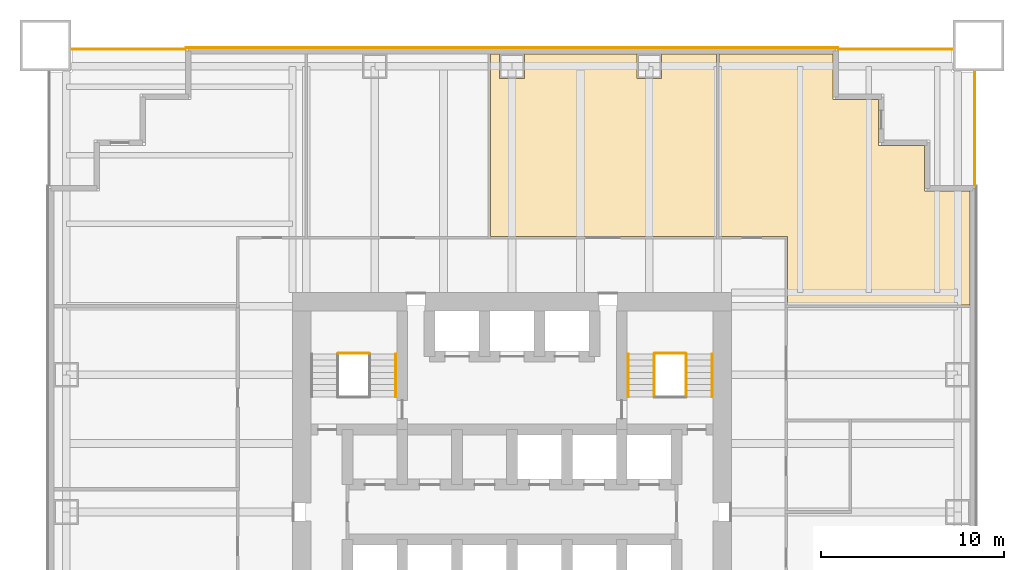
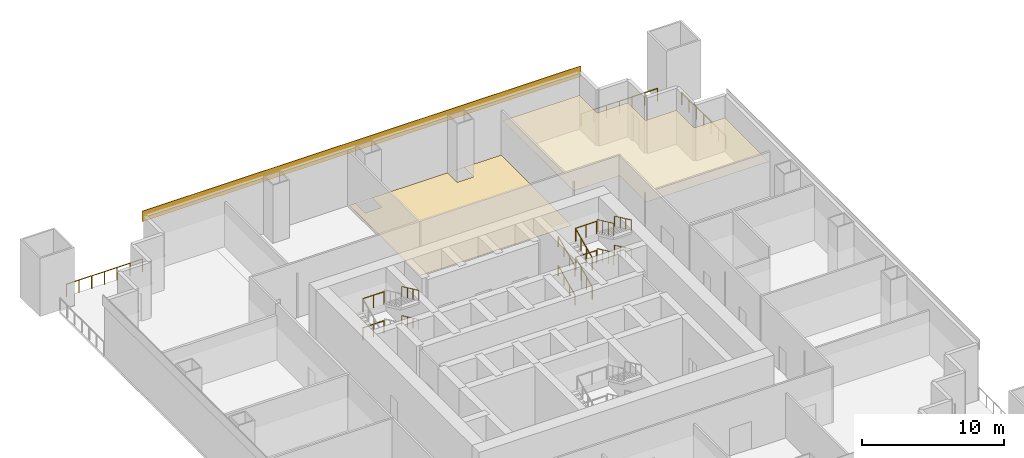
# One storey, part 6 of 6: 17 railings, 3 coverings.
"""IFC4 building model written with IfcOpenShell, lengths in metres."""

from ifc_helpers import new_model, si_unit, direction, frame, origin, origin_2d, place, context, subcontext, project, spatial, polyline, rectangle, circle, outline, extrude, material, layer, layer_set, type_object, element, save


model = new_model("IFC4")

# Units and contexts
model_context = context("Model", 3, precision=1e-05, world=origin(), true_north=direction((0.0, 1.0)))
body_context = subcontext(model_context, "Body", "Model", "MODEL_VIEW")
ifc_project = project(units=[si_unit("LENGTHUNIT", "METRE"), si_unit("AREAUNIT", "SQUARE_METRE"), si_unit("VOLUMEUNIT", "CUBIC_METRE"), si_unit("PLANEANGLEUNIT", "RADIAN"), si_unit("MASSUNIT", "GRAM", prefix="KILO")], contexts=[model_context])

# Site, building, storey
site_placement = place(None, origin())
site = spatial("IfcSite", under=ifc_project, at=site_placement, CompositionType="ELEMENT")
building_placement = place(site_placement, origin())
building = spatial("IfcBuilding", under=site, at=building_placement, Name="Tarangal Relay Tower", CompositionType="ELEMENT")
storey_placement = place(building_placement, frame((0.0, 0.0, 88.39990234375)))
storey = spatial("IfcBuildingStorey", under=building, at=storey_placement, Name="L17", CompositionType="ELEMENT", Elevation=88.39990234375)

# Coverings
ifc_material_1 = material(Name="Anti-static vinyl flooring", Category="plastic")
ifc_layer_1 = layer(ifc_material_1, 0.010009765625)
ifc_layer_set_1 = layer_set([ifc_layer_1], Name="Anti-static vinyl floor")
covering_type_1 = type_object("IfcCoveringType", Name="Anti-static vinyl floor", PredefinedType="FLOORING", material=ifc_layer_set_1)
covering_1_placement = place(storey_placement, origin())
element("IfcCovering", 1, at=covering_1_placement, inside=storey, type_object=covering_type_1, Name="Floor finish FL1 L17-03", PredefinedType="FLOORING", context=body_context, shape_type="SweptSolid", body=[
    extrude(outline(polyline([(11.175048828125, 25.050048828125), (-1.175048828125, 25.050048828125), (-1.175048828125, 15.074951171875), (11.175048828125, 15.074951171875), (11.175048828125, 25.050048828125)]), holes=[polyline([(0.675048828125, 23.68994140625), (0.675048828125, 25.0400390625), (-0.675048828125, 25.0400390625), (-0.675048828125, 23.68994140625), (0.675048828125, 23.68994140625)]), polyline([(8.175048828125, 23.68994140625), (8.175048828125, 25.0400390625), (6.824951171875, 25.0400390625), (6.824951171875, 23.68994140625), (8.175048828125, 23.68994140625)])]), origin(), (0.0, 0.0, 1.0), 0.010009765625),
])
ifc_material_2 = material(Name="Black anodised aluminium cladding", Category="aluminium")
ifc_layer_2 = layer(ifc_material_2, 0.050048828125)
ifc_layer_set_2 = layer_set([ifc_layer_2], Name="Black metal spandrel band")
covering_type_2 = type_object("IfcCoveringType", Name="Black metal spandrel band", PredefinedType="CLADDING", material=ifc_layer_set_2)
covering_2_placement = place(storey_placement, frame((0.0, 25.375, 4.250244140625), z_axis=(0.0, 0.0, 1.0), x_axis=(1.0, 0.0, 0.0)))
element("IfcCovering", 2, at=covering_2_placement, inside=storey, type_object=covering_type_2, Name="Spandrel band SB1 N L17", PredefinedType="CLADDING", context=body_context, shape_type="SweptSolid", body=[
    extrude(rectangle(XDim=35.699951171875, YDim=0.050048828125, at=origin_2d()), origin(), (0.0, 0.0, 1.0), 0.89990234375),
])

# Railings
ifc_material_3 = material(Name="Steel guard, black finish", Category="steel")
railing_type_1 = type_object("IfcRailingType", Name="Stair guard 1100", PredefinedType="GUARDRAIL", material=ifc_material_3)
for number, where, name in (
    (3, (-9.5, 8.675048828125, 1.25), "Stair ST-A landing guard GR1 L17"),
    (4, (-9.5, 8.675048828125, 3.75), "Stair ST-A landing guard GR1 L17"),
):
    element("IfcRailing", number, at=place(storey_placement, frame(where)), inside=storey, type_object=railing_type_1, Name=name, PredefinedType="GUARDRAIL", context=body_context, shape_type="SweptSolid", body=[
        extrude(circle(Radius=0.02392578125, at=origin_2d()), frame((0.0, 0.0, 1.076171875), z_axis=(1.0, 0.0, 0.0), x_axis=(0.0, 1.0, 0.0)), (0.0, 0.0, 1.0), 1.699951171875),
        extrude(circle(Radius=0.02099609375, at=origin_2d()), origin(), (0.0, 0.0, 1.0), 1.052001953125),
        extrude(circle(Radius=0.02099609375, at=origin_2d()), frame((0.85009765625, 0.0, 0.0)), (0.0, 0.0, 1.0), 1.052001953125),
        extrude(circle(Radius=0.02099609375, at=origin_2d()), frame((1.699951171875, 0.0, 0.0)), (0.0, 0.0, 1.0), 1.052001953125),
    ])
railing_1_placement = place(storey_placement, frame((7.77001953125, 6.300048828125, 0.156494140625)))
element("IfcRailing", 5, at=railing_1_placement, inside=storey, type_object=railing_type_1, Name="Stair ST-B guard GR1 L17 flight 1", PredefinedType="GUARDRAIL", context=body_context, shape_type="SweptSolid", body=[
    extrude(circle(Radius=0.02392578125, at=origin_2d()), frame((0.0, 0.0, 1.076171875), z_axis=(0.0, 0.906303632821, 0.42262717037), x_axis=(-1.0, 0.0, 0.0)), (0.0, 0.0, 1.0), 2.58740234375),
    extrude(circle(Radius=0.02099609375, at=origin_2d()), origin(), (0.0, 0.0, 1.0), 1.052001953125),
    extrude(circle(Radius=0.02099609375, at=origin_2d()), frame((0.0, 0.78173828125, 0.364501953125)), (0.0, 0.0, 1.0), 1.052001953125),
    extrude(circle(Radius=0.02099609375, at=origin_2d()), frame((0.0, 1.563232421875, 0.72900390625)), (0.0, 0.0, 1.0), 1.052001953125),
    extrude(circle(Radius=0.02099609375, at=origin_2d()), frame((0.0, 2.344970703125, 1.093505859375)), (0.0, 0.0, 1.0), 1.052001953125),
])
railing_2_placement = place(storey_placement, frame((9.530029296875, 8.64501953125, 1.406494140625)))
element("IfcRailing", 6, at=railing_2_placement, inside=storey, type_object=railing_type_1, Name="Stair ST-B guard GR1 L17 flight 2", PredefinedType="GUARDRAIL", context=body_context, shape_type="SweptSolid", body=[
    extrude(circle(Radius=0.02392578125, at=origin_2d()), frame((0.0, 0.0, 1.076171875), z_axis=(0.0, -0.906303632821, 0.42262717037), x_axis=(1.0, 0.0, 0.0)), (0.0, 0.0, 1.0), 2.58740234375),
    extrude(circle(Radius=0.02099609375, at=origin_2d()), origin(), (0.0, 0.0, 1.0), 1.052001953125),
    extrude(circle(Radius=0.02099609375, at=origin_2d()), frame((0.0, -0.78173828125, 0.364501953125)), (0.0, 0.0, 1.0), 1.052001953125),
    extrude(circle(Radius=0.02099609375, at=origin_2d()), frame((0.0, -1.563232421875, 0.72900390625)), (0.0, 0.0, 1.0), 1.052001953125),
    extrude(circle(Radius=0.02099609375, at=origin_2d()), frame((0.0, -2.344970703125, 1.093505859375)), (0.0, 0.0, 1.0), 1.052001953125),
])
railing_3_placement = place(storey_placement, frame((7.77001953125, 6.300048828125, 2.656494140625)))
element("IfcRailing", 7, at=railing_3_placement, inside=storey, type_object=railing_type_1, Name="Stair ST-B guard GR1 L17 flight 3", PredefinedType="GUARDRAIL", context=body_context, shape_type="SweptSolid", body=[
    extrude(circle(Radius=0.02392578125, at=origin_2d()), frame((0.0, 0.0, 1.076171875), z_axis=(0.0, 0.906303632821, 0.42262717037), x_axis=(-1.0, 0.0, 0.0)), (0.0, 0.0, 1.0), 2.58740234375),
    extrude(circle(Radius=0.02099609375, at=origin_2d()), origin(), (0.0, 0.0, 1.0), 1.052001953125),
    extrude(circle(Radius=0.02099609375, at=origin_2d()), frame((0.0, 0.78173828125, 0.364501953125)), (0.0, 0.0, 1.0), 1.052001953125),
    extrude(circle(Radius=0.02099609375, at=origin_2d()), frame((0.0, 1.563232421875, 0.72900390625)), (0.0, 0.0, 1.0), 1.052001953125),
    extrude(circle(Radius=0.02099609375, at=origin_2d()), frame((0.0, 2.344970703125, 1.093505859375)), (0.0, 0.0, 1.0), 1.052001953125),
])
railing_4_placement = place(storey_placement, frame((9.530029296875, 8.64501953125, 3.906494140625)))
element("IfcRailing", 8, at=railing_4_placement, inside=storey, type_object=railing_type_1, Name="Stair ST-B guard GR1 L17 flight 4", PredefinedType="GUARDRAIL", context=body_context, shape_type="SweptSolid", body=[
    extrude(circle(Radius=0.02392578125, at=origin_2d()), frame((0.0, 0.0, 1.076171875), z_axis=(0.0, -0.906303632821, 0.42262717037), x_axis=(1.0, 0.0, 0.0)), (0.0, 0.0, 1.0), 2.58740234375),
    extrude(circle(Radius=0.02099609375, at=origin_2d()), origin(), (0.0, 0.0, 1.0), 1.052001953125),
    extrude(circle(Radius=0.02099609375, at=origin_2d()), frame((0.0, -0.78173828125, 0.364501953125)), (0.0, 0.0, 1.0), 1.052001953125),
    extrude(circle(Radius=0.02099609375, at=origin_2d()), frame((0.0, -1.563232421875, 0.72900390625)), (0.0, 0.0, 1.0), 1.052001953125),
    extrude(circle(Radius=0.02099609375, at=origin_2d()), frame((0.0, -2.344970703125, 1.093505859375)), (0.0, 0.0, 1.0), 1.052001953125),
])
for number, where, name in (
    (9, (7.800048828125, 8.675048828125, 1.25), "Stair ST-B landing guard GR1 L17"),
    (10, (7.800048828125, 8.675048828125, 3.75), "Stair ST-B landing guard GR1 L17"),
):
    element("IfcRailing", number, at=place(storey_placement, frame(where)), inside=storey, type_object=railing_type_1, Name=name, PredefinedType="GUARDRAIL", context=body_context, shape_type="SweptSolid", body=[
        extrude(circle(Radius=0.02392578125, at=origin_2d()), frame((0.0, 0.0, 1.076171875), z_axis=(1.0, 0.0, 0.0), x_axis=(0.0, 1.0, 0.0)), (0.0, 0.0, 1.0), 1.699951171875),
        extrude(circle(Radius=0.02099609375, at=origin_2d()), origin(), (0.0, 0.0, 1.0), 1.052001953125),
        extrude(circle(Radius=0.02099609375, at=origin_2d()), frame((0.85009765625, 0.0, 0.0)), (0.0, 0.0, 1.0), 1.052001953125),
        extrude(circle(Radius=0.02099609375, at=origin_2d()), frame((1.699951171875, 0.0, 0.0)), (0.0, 0.0, 1.0), 1.052001953125),
    ])
ifc_material_4 = material(Name="Steel handrail, black finish", Category="steel")
railing_type_2 = type_object("IfcRailingType", Name="Stair handrail 900", PredefinedType="HANDRAIL", material=ifc_material_4)
for number, where, name in (
    (11, (-6.360107421875, 8.64501953125, 1.406494140625), "Stair ST-A handrail HR1 L17 flight 2"),
    (12, (-6.360107421875, 8.64501953125, 3.906494140625), "Stair ST-A handrail HR1 L17 flight 4"),
):
    element("IfcRailing", number, at=place(storey_placement, frame(where)), inside=storey, type_object=railing_type_2, Name=name, PredefinedType="HANDRAIL", context=body_context, shape_type="SweptSolid", body=[
        extrude(circle(Radius=0.02392578125, at=origin_2d()), frame((0.0, 0.0, 0.8759765625), z_axis=(0.0, -0.906303632821, 0.42262717037), x_axis=(1.0, 0.0, 0.0)), (0.0, 0.0, 1.0), 2.58740234375),
        extrude(circle(Radius=0.02099609375, at=origin_2d()), origin(), (0.0, 0.0, 1.0), 0.851806640625),
        extrude(circle(Radius=0.02099609375, at=origin_2d()), frame((0.0, -0.78173828125, 0.364501953125)), (0.0, 0.0, 1.0), 0.851806640625),
        extrude(circle(Radius=0.02099609375, at=origin_2d()), frame((0.0, -1.563232421875, 0.72900390625)), (0.0, 0.0, 1.0), 0.851806640625),
        extrude(circle(Radius=0.02099609375, at=origin_2d()), frame((0.0, -2.344970703125, 1.093505859375)), (0.0, 0.0, 1.0), 0.851806640625),
    ])
railing_5_placement = place(storey_placement, frame((6.360107421875, 6.300048828125, 0.156494140625)))
element("IfcRailing", 13, at=railing_5_placement, inside=storey, type_object=railing_type_2, Name="Stair ST-B handrail HR1 L17 flight 1", PredefinedType="HANDRAIL", context=body_context, shape_type="SweptSolid", body=[
    extrude(circle(Radius=0.02392578125, at=origin_2d()), frame((0.0, 0.0, 0.8759765625), z_axis=(0.0, 0.906303632821, 0.42262717037), x_axis=(-1.0, 0.0, 0.0)), (0.0, 0.0, 1.0), 2.58740234375),
    extrude(circle(Radius=0.02099609375, at=origin_2d()), origin(), (0.0, 0.0, 1.0), 0.851806640625),
    extrude(circle(Radius=0.02099609375, at=origin_2d()), frame((0.0, 0.78173828125, 0.364501953125)), (0.0, 0.0, 1.0), 0.851806640625),
    extrude(circle(Radius=0.02099609375, at=origin_2d()), frame((0.0, 1.563232421875, 0.72900390625)), (0.0, 0.0, 1.0), 0.851806640625),
    extrude(circle(Radius=0.02099609375, at=origin_2d()), frame((0.0, 2.344970703125, 1.093505859375)), (0.0, 0.0, 1.0), 0.851806640625),
])
railing_6_placement = place(storey_placement, frame((10.93994140625, 8.64501953125, 1.406494140625)))
element("IfcRailing", 14, at=railing_6_placement, inside=storey, type_object=railing_type_2, Name="Stair ST-B handrail HR1 L17 flight 2", PredefinedType="HANDRAIL", context=body_context, shape_type="SweptSolid", body=[
    extrude(circle(Radius=0.02392578125, at=origin_2d()), frame((0.0, 0.0, 0.8759765625), z_axis=(0.0, -0.906303632821, 0.42262717037), x_axis=(1.0, 0.0, 0.0)), (0.0, 0.0, 1.0), 2.58740234375),
    extrude(circle(Radius=0.02099609375, at=origin_2d()), origin(), (0.0, 0.0, 1.0), 0.851806640625),
    extrude(circle(Radius=0.02099609375, at=origin_2d()), frame((0.0, -0.78173828125, 0.364501953125)), (0.0, 0.0, 1.0), 0.851806640625),
    extrude(circle(Radius=0.02099609375, at=origin_2d()), frame((0.0, -1.563232421875, 0.72900390625)), (0.0, 0.0, 1.0), 0.851806640625),
    extrude(circle(Radius=0.02099609375, at=origin_2d()), frame((0.0, -2.344970703125, 1.093505859375)), (0.0, 0.0, 1.0), 0.851806640625),
])
railing_7_placement = place(storey_placement, frame((6.360107421875, 6.300048828125, 2.656494140625)))
element("IfcRailing", 15, at=railing_7_placement, inside=storey, type_object=railing_type_2, Name="Stair ST-B handrail HR1 L17 flight 3", PredefinedType="HANDRAIL", context=body_context, shape_type="SweptSolid", body=[
    extrude(circle(Radius=0.02392578125, at=origin_2d()), frame((0.0, 0.0, 0.8759765625), z_axis=(0.0, 0.906303632821, 0.42262717037), x_axis=(-1.0, 0.0, 0.0)), (0.0, 0.0, 1.0), 2.58740234375),
    extrude(circle(Radius=0.02099609375, at=origin_2d()), origin(), (0.0, 0.0, 1.0), 0.851806640625),
    extrude(circle(Radius=0.02099609375, at=origin_2d()), frame((0.0, 0.78173828125, 0.364501953125)), (0.0, 0.0, 1.0), 0.851806640625),
    extrude(circle(Radius=0.02099609375, at=origin_2d()), frame((0.0, 1.563232421875, 0.72900390625)), (0.0, 0.0, 1.0), 0.851806640625),
    extrude(circle(Radius=0.02099609375, at=origin_2d()), frame((0.0, 2.344970703125, 1.093505859375)), (0.0, 0.0, 1.0), 0.851806640625),
])
railing_8_placement = place(storey_placement, frame((10.93994140625, 8.64501953125, 3.906494140625)))
element("IfcRailing", 16, at=railing_8_placement, inside=storey, type_object=railing_type_2, Name="Stair ST-B handrail HR1 L17 flight 4", PredefinedType="HANDRAIL", context=body_context, shape_type="SweptSolid", body=[
    extrude(circle(Radius=0.02392578125, at=origin_2d()), frame((0.0, 0.0, 0.8759765625), z_axis=(0.0, -0.906303632821, 0.42262717037), x_axis=(1.0, 0.0, 0.0)), (0.0, 0.0, 1.0), 2.58740234375),
    extrude(circle(Radius=0.02099609375, at=origin_2d()), origin(), (0.0, 0.0, 1.0), 0.851806640625),
    extrude(circle(Radius=0.02099609375, at=origin_2d()), frame((0.0, -0.78173828125, 0.364501953125)), (0.0, 0.0, 1.0), 0.851806640625),
    extrude(circle(Radius=0.02099609375, at=origin_2d()), frame((0.0, -1.563232421875, 0.72900390625)), (0.0, 0.0, 1.0), 0.851806640625),
    extrude(circle(Radius=0.02099609375, at=origin_2d()), frame((0.0, -2.344970703125, 1.093505859375)), (0.0, 0.0, 1.0), 0.851806640625),
])

# Covering
ifc_material_5 = material(Name="Mineral fibre ceiling tiles", Category="gypsum")
ifc_layer_3 = layer(ifc_material_5, 0.02001953125)
ifc_layer_set_3 = layer_set([ifc_layer_3], Name="Suspended ceiling")
covering_type_3 = type_object("IfcCoveringType", Name="Suspended ceiling", PredefinedType="CEILING", material=ifc_layer_set_3)
covering_3_placement = place(storey_placement, frame((0.0, 0.0, 2.900146484375)))
element("IfcCovering", 17, at=covering_3_placement, inside=storey, type_object=covering_type_3, Name="Suspended ceiling CL1 L17-14", PredefinedType="CEILING", context=body_context, shape_type="SweptSolid", body=[
    extrude(outline(polyline([(17.550048828125, 25.050048828125), (11.324951171875, 25.050048828125), (11.324951171875, 15.074951171875), (15.074951171875, 15.074951171875), (15.074951171875, 11.324951171875), (25.050048828125, 11.324951171875), (25.050048828125, 17.550048828125), (22.550048828125, 17.550048828125), (22.550048828125, 20.050048828125), (20.050048828125, 20.050048828125), (20.050048828125, 22.550048828125), (17.550048828125, 22.550048828125), (17.550048828125, 25.050048828125)])), origin(), (0.0, 0.0, 1.0), 0.02001953125),
])

# Railings
ifc_material_6 = material(Name="Black steel guard with glass infill", Category="steel")
railing_type_3 = type_object("IfcRailingType", Name="Terrace guard 1100", PredefinedType="GUARDRAIL", material=ifc_material_6)
railing_9_placement = place(storey_placement, frame((17.85009765625, 25.300048828125, 0.0)))
element("IfcRailing", 18, at=railing_9_placement, inside=storey, type_object=railing_type_3, Name="Terrace guard GR2 NE L17", PredefinedType="GUARDRAIL", context=body_context, shape_type="SweptSolid", body=[
    extrude(circle(Radius=0.02392578125, at=origin_2d()), frame((0.0, 0.0, 1.076171875), z_axis=(1.0, 0.0, 0.0), x_axis=(0.0, 1.0, 0.0)), (0.0, 0.0, 1.0), 6.199951171875),
    extrude(circle(Radius=0.02099609375, at=origin_2d()), origin(), (0.0, 0.0, 1.0), 1.052001953125),
    extrude(circle(Radius=0.02099609375, at=origin_2d()), frame((1.033203125, 0.0, 0.0)), (0.0, 0.0, 1.0), 1.052001953125),
    extrude(circle(Radius=0.02099609375, at=origin_2d()), frame((2.066650390625, 0.0, 0.0)), (0.0, 0.0, 1.0), 1.052001953125),
    extrude(circle(Radius=0.02099609375, at=origin_2d()), frame((3.10009765625, 0.0, 0.0)), (0.0, 0.0, 1.0), 1.052001953125),
    extrude(circle(Radius=0.02099609375, at=origin_2d()), frame((4.13330078125, 0.0, 0.0)), (0.0, 0.0, 1.0), 1.052001953125),
    extrude(circle(Radius=0.02099609375, at=origin_2d()), frame((5.16650390625, 0.0, 0.0)), (0.0, 0.0, 1.0), 1.052001953125),
    extrude(circle(Radius=0.02099609375, at=origin_2d()), frame((6.199951171875, 0.0, 0.0)), (0.0, 0.0, 1.0), 1.052001953125),
])
railing_10_placement = place(storey_placement, frame((25.300048828125, 24.050048828125, 0.0)))
element("IfcRailing", 19, at=railing_10_placement, inside=storey, type_object=railing_type_3, Name="Terrace guard GR2 NE L17", PredefinedType="GUARDRAIL", context=body_context, shape_type="SweptSolid", body=[
    extrude(circle(Radius=0.02392578125, at=origin_2d()), frame((0.0, 0.0, 1.076171875), z_axis=(0.0, -1.0, 0.0), x_axis=(1.0, 0.0, 0.0)), (0.0, 0.0, 1.0), 6.199951171875),
    extrude(circle(Radius=0.02099609375, at=origin_2d()), origin(), (0.0, 0.0, 1.0), 1.052001953125),
    extrude(circle(Radius=0.02099609375, at=origin_2d()), frame((0.0, -1.033203125, 0.0)), (0.0, 0.0, 1.0), 1.052001953125),
    extrude(circle(Radius=0.02099609375, at=origin_2d()), frame((0.0, -2.066650390625, 0.0)), (0.0, 0.0, 1.0), 1.052001953125),
    extrude(circle(Radius=0.02099609375, at=origin_2d()), frame((0.0, -3.10009765625, 0.0)), (0.0, 0.0, 1.0), 1.052001953125),
    extrude(circle(Radius=0.02099609375, at=origin_2d()), frame((0.0, -4.13330078125, 0.0)), (0.0, 0.0, 1.0), 1.052001953125),
    extrude(circle(Radius=0.02099609375, at=origin_2d()), frame((0.0, -5.16650390625, 0.0)), (0.0, 0.0, 1.0), 1.052001953125),
    extrude(circle(Radius=0.02099609375, at=origin_2d()), frame((0.0, -6.199951171875, 0.0)), (0.0, 0.0, 1.0), 1.052001953125),
])
railing_11_placement = place(storey_placement, frame((-24.050048828125, 25.300048828125, 0.0)))
element("IfcRailing", 20, at=railing_11_placement, inside=storey, type_object=railing_type_3, Name="Terrace guard GR2 NW L17", PredefinedType="GUARDRAIL", context=body_context, shape_type="SweptSolid", body=[
    extrude(circle(Radius=0.02392578125, at=origin_2d()), frame((0.0, 0.0, 1.076171875), z_axis=(1.0, 0.0, 0.0), x_axis=(0.0, 1.0, 0.0)), (0.0, 0.0, 1.0), 6.199951171875),
    extrude(circle(Radius=0.02099609375, at=origin_2d()), origin(), (0.0, 0.0, 1.0), 1.052001953125),
    extrude(circle(Radius=0.02099609375, at=origin_2d()), frame((1.033203125, 0.0, 0.0)), (0.0, 0.0, 1.0), 1.052001953125),
    extrude(circle(Radius=0.02099609375, at=origin_2d()), frame((2.066650390625, 0.0, 0.0)), (0.0, 0.0, 1.0), 1.052001953125),
    extrude(circle(Radius=0.02099609375, at=origin_2d()), frame((3.10009765625, 0.0, 0.0)), (0.0, 0.0, 1.0), 1.052001953125),
    extrude(circle(Radius=0.02099609375, at=origin_2d()), frame((4.13330078125, 0.0, 0.0)), (0.0, 0.0, 1.0), 1.052001953125),
    extrude(circle(Radius=0.02099609375, at=origin_2d()), frame((5.16650390625, 0.0, 0.0)), (0.0, 0.0, 1.0), 1.052001953125),
    extrude(circle(Radius=0.02099609375, at=origin_2d()), frame((6.199951171875, 0.0, 0.0)), (0.0, 0.0, 1.0), 1.052001953125),
])

save(model, "model.ifc")
